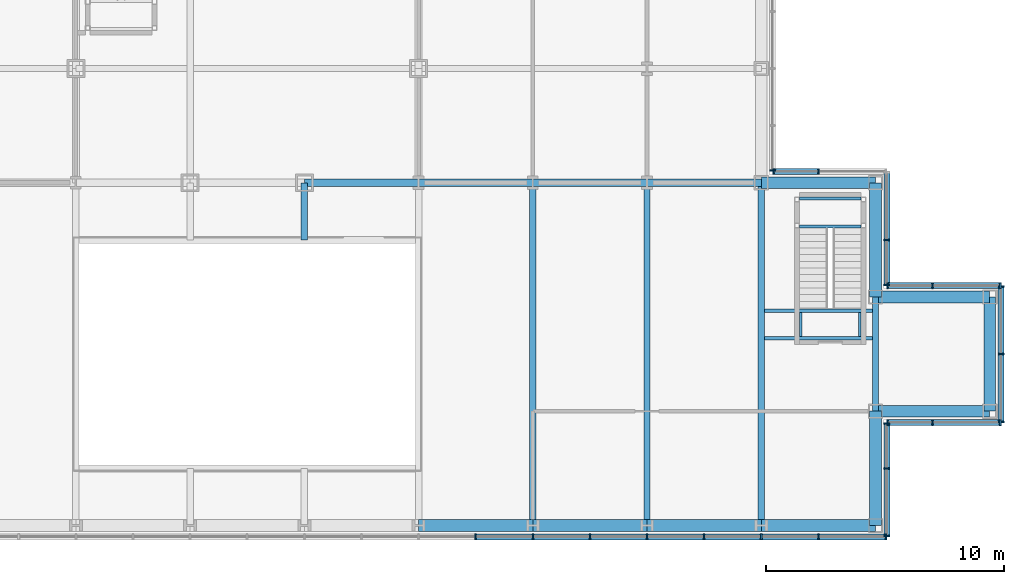
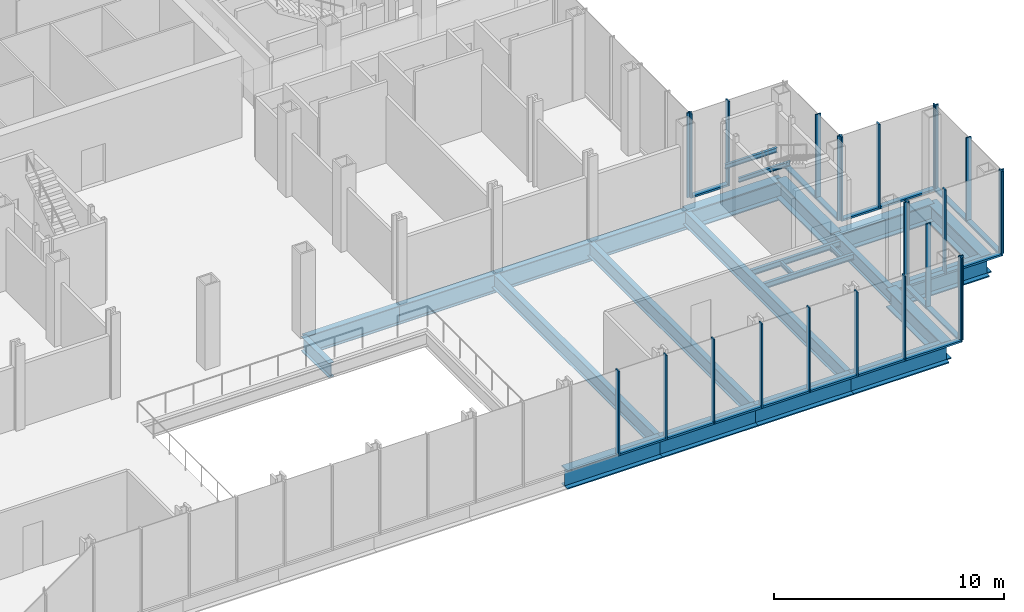
# One storey, part 13 of 25: 43 members, 25 beams, 8 elements without a shape of their own.
"""IFC4 building model written with IfcOpenShell, lengths in metres."""

from ifc_helpers import new_model, si_unit, direction, frame, origin, origin_2d, place, context, subcontext, project, spatial, rectangle, i_section, extrude, material, material_profile, profile_set, type_object, element, aggregate, save


model = new_model("IFC4")

# Units and contexts
model_context = context("Model", 3, precision=1e-05, world=origin(), true_north=direction((0.0, 1.0)))
body_context = subcontext(model_context, "Body", "Model", "MODEL_VIEW")
ifc_project = project(units=[si_unit("LENGTHUNIT", "METRE"), si_unit("AREAUNIT", "SQUARE_METRE"), si_unit("VOLUMEUNIT", "CUBIC_METRE"), si_unit("PLANEANGLEUNIT", "RADIAN"), si_unit("MASSUNIT", "GRAM", prefix="KILO")], contexts=[model_context])

# Site, building, storey
site_placement = place(None, origin())
site = spatial("IfcSite", under=ifc_project, at=site_placement, CompositionType="ELEMENT")
building_placement = place(site_placement, origin())
building = spatial("IfcBuilding", under=site, at=building_placement, Name="Kvirike Care Tower", CompositionType="ELEMENT")
storey_placement = place(building_placement, frame((0.0, 0.0, 9.0)))
storey = spatial("IfcBuildingStorey", under=building, at=storey_placement, Name="L02", CompositionType="ELEMENT", Elevation=9.0)

# Curtain wall, members
ifc_material_1 = material(Name="Anodised aluminium stick system", Category="aluminium")
curtain_wall_type = type_object("IfcCurtainWallType", Name="CW-P PODIUM STICK CURTAIN WALL", PredefinedType="NOTDEFINED", material=ifc_material_1)
curtain_wall_1_placement = place(storey_placement, origin())
curtain_wall_1 = element("IfcCurtainWall", 1, at=curtain_wall_1_placement, inside=storey, type_object=curtain_wall_type, Name="Curtain wall L02 face 1", PredefinedType="NOTDEFINED")
ifc_material_2 = material(Name="Bronze anodised aluminium mullion", Category="aluminium")
ifc_material_profile_1 = material_profile(ifc_material_2, rectangle(XDim=0.06494140625, YDim=0.25, at=origin_2d()), Name="CW-P MULLION 65x250")
ifc_profile_set_1 = profile_set([ifc_material_profile_1], Name="Bronze anodised aluminium mullion")
member_type_1 = type_object("IfcMemberType", Name="CW-P MULLION 65x250", PredefinedType="MULLION", material=ifc_profile_set_1)
member_1_placement = place(storey_placement, frame((31.199951171875, -0.47509765625, 0.0), z_axis=(0.0, 0.0, 1.0), x_axis=(1.0, 0.0, 0.0)))
member_1 = element("IfcMember", 2, at=member_1_placement, type_object=member_type_1, Name="CW-P mullion L02 face 1.16", PredefinedType="MULLION", context=body_context, shape_type="SweptSolid", body=[
    extrude(rectangle(XDim=0.06494140625, YDim=0.25, at=origin_2d()), origin(), (0.0, 0.0, 1.0), 4.5),
])
member_2_placement = place(storey_placement, frame((33.60009765625, -0.47509765625, 0.0), z_axis=(0.0, 0.0, 1.0), x_axis=(1.0, 0.0, 0.0)))
member_2 = element("IfcMember", 3, at=member_2_placement, type_object=member_type_1, Name="CW-P mullion L02 face 1.17", PredefinedType="MULLION", context=body_context, shape_type="SweptSolid", body=[
    extrude(rectangle(XDim=0.06494140625, YDim=0.25, at=origin_2d()), origin(), (0.0, 0.0, 1.0), 4.5),
])
member_3_placement = place(storey_placement, frame((36.0, -0.47509765625, 0.0), z_axis=(0.0, 0.0, 1.0), x_axis=(1.0, 0.0, 0.0)))
member_3 = element("IfcMember", 4, at=member_3_placement, type_object=member_type_1, Name="CW-P mullion L02 face 1.18", PredefinedType="MULLION", context=body_context, shape_type="SweptSolid", body=[
    extrude(rectangle(XDim=0.06494140625, YDim=0.25, at=origin_2d()), origin(), (0.0, 0.0, 1.0), 4.5),
])
member_4_placement = place(storey_placement, frame((38.39990234375, -0.47509765625, 0.0), z_axis=(0.0, 0.0, 1.0), x_axis=(1.0, 0.0, 0.0)))
member_4 = element("IfcMember", 5, at=member_4_placement, type_object=member_type_1, Name="CW-P mullion L02 face 1.19", PredefinedType="MULLION", context=body_context, shape_type="SweptSolid", body=[
    extrude(rectangle(XDim=0.06494140625, YDim=0.25, at=origin_2d()), origin(), (0.0, 0.0, 1.0), 4.5),
])
member_5_placement = place(storey_placement, frame((40.800048828125, -0.47509765625, 0.0), z_axis=(0.0, 0.0, 1.0), x_axis=(1.0, 0.0, 0.0)))
member_5 = element("IfcMember", 6, at=member_5_placement, type_object=member_type_1, Name="CW-P mullion L02 face 1.20", PredefinedType="MULLION", context=body_context, shape_type="SweptSolid", body=[
    extrude(rectangle(XDim=0.06494140625, YDim=0.25, at=origin_2d()), origin(), (0.0, 0.0, 1.0), 4.5),
])
member_6_placement = place(storey_placement, frame((43.199951171875, -0.47509765625, 0.0), z_axis=(0.0, 0.0, 1.0), x_axis=(1.0, 0.0, 0.0)))
member_6 = element("IfcMember", 7, at=member_6_placement, type_object=member_type_1, Name="CW-P mullion L02 face 1.21", PredefinedType="MULLION", context=body_context, shape_type="SweptSolid", body=[
    extrude(rectangle(XDim=0.06494140625, YDim=0.25, at=origin_2d()), origin(), (0.0, 0.0, 1.0), 4.5),
])
member_7_placement = place(storey_placement, frame((45.60009765625, -0.47509765625, 0.0), z_axis=(0.0, 0.0, 1.0), x_axis=(1.0, 0.0, 0.0)))
member_7 = element("IfcMember", 8, at=member_7_placement, type_object=member_type_1, Name="CW-P mullion L02 face 1.22", PredefinedType="MULLION", context=body_context, shape_type="SweptSolid", body=[
    extrude(rectangle(XDim=0.06494140625, YDim=0.25, at=origin_2d()), origin(), (0.0, 0.0, 1.0), 4.5),
])
member_8_placement = place(storey_placement, frame((48.4423828125, -0.47509765625, 0.0), z_axis=(0.0, 0.0, 1.0), x_axis=(1.0, 0.0, 0.0)))
member_8 = element("IfcMember", 9, at=member_8_placement, type_object=member_type_1, Name="CW-P mullion L02 face 1.23", PredefinedType="MULLION", context=body_context, shape_type="SweptSolid", body=[
    extrude(rectangle(XDim=0.06494140625, YDim=0.25, at=origin_2d()), origin(), (0.0, 0.0, 1.0), 4.5),
])

curtain_wall_2_placement = place(storey_placement, origin())
curtain_wall_2 = element("IfcCurtainWall", 10, at=curtain_wall_2_placement, inside=storey, type_object=curtain_wall_type, Name="Curtain wall L02 face 2", PredefinedType="NOTDEFINED")
member_9_placement = place(storey_placement, frame((48.47509765625, -0.4423828125, 0.0), z_axis=(0.0, 0.0, 1.0), x_axis=(0.0, 1.0, 0.0)))
member_9 = element("IfcMember", 11, at=member_9_placement, type_object=member_type_1, Name="CW-P mullion L02 face 2.1", PredefinedType="MULLION", context=body_context, shape_type="SweptSolid", body=[
    extrude(rectangle(XDim=0.06494140625, YDim=0.25, at=origin_2d()), origin(), (0.0, 0.0, 1.0), 4.5),
])
member_10_placement = place(storey_placement, frame((48.47509765625, 2.39990234375, 0.0), z_axis=(0.0, 0.0, 1.0), x_axis=(0.0, 1.0, 0.0)))
member_10 = element("IfcMember", 12, at=member_10_placement, type_object=member_type_1, Name="CW-P mullion L02 face 2.2", PredefinedType="MULLION", context=body_context, shape_type="SweptSolid", body=[
    extrude(rectangle(XDim=0.06494140625, YDim=0.25, at=origin_2d()), origin(), (0.0, 0.0, 1.0), 4.5),
])
member_11_placement = place(storey_placement, frame((48.47509765625, 4.29248046875, 0.0), z_axis=(0.0, 0.0, 1.0), x_axis=(0.0, 1.0, 0.0)))
member_11 = element("IfcMember", 13, at=member_11_placement, type_object=member_type_1, Name="CW-P mullion L02 face 2.3", PredefinedType="MULLION", context=body_context, shape_type="SweptSolid", body=[
    extrude(rectangle(XDim=0.06494140625, YDim=0.25, at=origin_2d()), origin(), (0.0, 0.0, 1.0), 4.5),
])

curtain_wall_3_placement = place(storey_placement, origin())
curtain_wall_3 = element("IfcCurtainWall", 14, at=curtain_wall_3_placement, inside=storey, type_object=curtain_wall_type, Name="Curtain wall L02 face 3", PredefinedType="NOTDEFINED")
member_12_placement = place(storey_placement, frame((48.507568359375, 4.324951171875, 0.0), z_axis=(0.0, 0.0, 1.0), x_axis=(1.0, 0.0, 0.0)))
member_12 = element("IfcMember", 15, at=member_12_placement, type_object=member_type_1, Name="CW-P mullion L02 face 3.1", PredefinedType="MULLION", context=body_context, shape_type="SweptSolid", body=[
    extrude(rectangle(XDim=0.06494140625, YDim=0.25, at=origin_2d()), origin(), (0.0, 0.0, 1.0), 4.5),
])
member_13_placement = place(storey_placement, frame((50.39990234375, 4.324951171875, 0.0), z_axis=(0.0, 0.0, 1.0), x_axis=(1.0, 0.0, 0.0)))
member_13 = element("IfcMember", 16, at=member_13_placement, type_object=member_type_1, Name="CW-P mullion L02 face 3.2", PredefinedType="MULLION", context=body_context, shape_type="SweptSolid", body=[
    extrude(rectangle(XDim=0.06494140625, YDim=0.25, at=origin_2d()), origin(), (0.0, 0.0, 1.0), 4.5),
])
member_14_placement = place(storey_placement, frame((53.242431640625, 4.324951171875, 0.0), z_axis=(0.0, 0.0, 1.0), x_axis=(1.0, 0.0, 0.0)))
member_14 = element("IfcMember", 17, at=member_14_placement, type_object=member_type_1, Name="CW-P mullion L02 face 3.3", PredefinedType="MULLION", context=body_context, shape_type="SweptSolid", body=[
    extrude(rectangle(XDim=0.06494140625, YDim=0.25, at=origin_2d()), origin(), (0.0, 0.0, 1.0), 4.5),
])

curtain_wall_4_placement = place(storey_placement, origin())
curtain_wall_4 = element("IfcCurtainWall", 18, at=curtain_wall_4_placement, inside=storey, type_object=curtain_wall_type, Name="Curtain wall L02 face 4", PredefinedType="NOTDEFINED")
member_15_placement = place(storey_placement, frame((53.27490234375, 4.357421875, 0.0), z_axis=(0.0, 0.0, 1.0), x_axis=(0.0, 1.0, 0.0)))
member_15 = element("IfcMember", 19, at=member_15_placement, type_object=member_type_1, Name="CW-P mullion L02 face 4.1", PredefinedType="MULLION", context=body_context, shape_type="SweptSolid", body=[
    extrude(rectangle(XDim=0.06494140625, YDim=0.25, at=origin_2d()), origin(), (0.0, 0.0, 1.0), 4.5),
])
member_16_placement = place(storey_placement, frame((53.27490234375, 7.199951171875, 0.0), z_axis=(0.0, 0.0, 1.0), x_axis=(0.0, 1.0, 0.0)))
member_16 = element("IfcMember", 20, at=member_16_placement, type_object=member_type_1, Name="CW-P mullion L02 face 4.2", PredefinedType="MULLION", context=body_context, shape_type="SweptSolid", body=[
    extrude(rectangle(XDim=0.06494140625, YDim=0.25, at=origin_2d()), origin(), (0.0, 0.0, 1.0), 4.5),
])
member_17_placement = place(storey_placement, frame((53.27490234375, 10.04248046875, 0.0), z_axis=(0.0, 0.0, 1.0), x_axis=(0.0, 1.0, 0.0)))
member_17 = element("IfcMember", 21, at=member_17_placement, type_object=member_type_1, Name="CW-P mullion L02 face 4.3", PredefinedType="MULLION", context=body_context, shape_type="SweptSolid", body=[
    extrude(rectangle(XDim=0.06494140625, YDim=0.25, at=origin_2d()), origin(), (0.0, 0.0, 1.0), 4.5),
])

curtain_wall_5_placement = place(storey_placement, origin())
curtain_wall_5 = element("IfcCurtainWall", 22, at=curtain_wall_5_placement, inside=storey, type_object=curtain_wall_type, Name="Curtain wall L02 face 5", PredefinedType="NOTDEFINED")
member_18_placement = place(storey_placement, frame((53.242431640625, 10.074951171875, 0.0), z_axis=(0.0, 0.0, 1.0), x_axis=(-1.0, 0.0, 0.0)))
member_18 = element("IfcMember", 23, at=member_18_placement, type_object=member_type_1, Name="CW-P mullion L02 face 5.1", PredefinedType="MULLION", context=body_context, shape_type="SweptSolid", body=[
    extrude(rectangle(XDim=0.06494140625, YDim=0.25, at=origin_2d()), origin(), (0.0, 0.0, 1.0), 4.5),
])
member_19_placement = place(storey_placement, frame((50.39990234375, 10.074951171875, 0.0), z_axis=(0.0, 0.0, 1.0), x_axis=(-1.0, 0.0, 0.0)))
member_19 = element("IfcMember", 24, at=member_19_placement, type_object=member_type_1, Name="CW-P mullion L02 face 5.2", PredefinedType="MULLION", context=body_context, shape_type="SweptSolid", body=[
    extrude(rectangle(XDim=0.06494140625, YDim=0.25, at=origin_2d()), origin(), (0.0, 0.0, 1.0), 4.5),
])
member_20_placement = place(storey_placement, frame((48.507568359375, 10.074951171875, 0.0), z_axis=(0.0, 0.0, 1.0), x_axis=(-1.0, 0.0, 0.0)))
member_20 = element("IfcMember", 25, at=member_20_placement, type_object=member_type_1, Name="CW-P mullion L02 face 5.3", PredefinedType="MULLION", context=body_context, shape_type="SweptSolid", body=[
    extrude(rectangle(XDim=0.06494140625, YDim=0.25, at=origin_2d()), origin(), (0.0, 0.0, 1.0), 4.5),
])

curtain_wall_6_placement = place(storey_placement, origin())
curtain_wall_6 = element("IfcCurtainWall", 26, at=curtain_wall_6_placement, inside=storey, type_object=curtain_wall_type, Name="Curtain wall L02 face 6", PredefinedType="NOTDEFINED")
member_21_placement = place(storey_placement, frame((48.47509765625, 10.107421875, 0.0), z_axis=(0.0, 0.0, 1.0), x_axis=(0.0, 1.0, 0.0)))
member_21 = element("IfcMember", 27, at=member_21_placement, type_object=member_type_1, Name="CW-P mullion L02 face 6.1", PredefinedType="MULLION", context=body_context, shape_type="SweptSolid", body=[
    extrude(rectangle(XDim=0.06494140625, YDim=0.25, at=origin_2d()), origin(), (0.0, 0.0, 1.0), 4.5),
])
member_22_placement = place(storey_placement, frame((48.47509765625, 12.0, 0.0), z_axis=(0.0, 0.0, 1.0), x_axis=(0.0, 1.0, 0.0)))
member_22 = element("IfcMember", 28, at=member_22_placement, type_object=member_type_1, Name="CW-P mullion L02 face 6.2", PredefinedType="MULLION", context=body_context, shape_type="SweptSolid", body=[
    extrude(rectangle(XDim=0.06494140625, YDim=0.25, at=origin_2d()), origin(), (0.0, 0.0, 1.0), 4.5),
])

curtain_wall_7_placement = place(storey_placement, origin())
curtain_wall_7 = element("IfcCurtainWall", 29, at=curtain_wall_7_placement, inside=storey, type_object=curtain_wall_type, Name="Curtain wall L02 face 7", PredefinedType="NOTDEFINED")
member_23_placement = place(storey_placement, frame((45.60009765625, 14.875, 0.0), z_axis=(0.0, 0.0, 1.0), x_axis=(-1.0, 0.0, 0.0)))
member_23 = element("IfcMember", 30, at=member_23_placement, type_object=member_type_1, Name="CW-P mullion L02 face 7.2", PredefinedType="MULLION", context=body_context, shape_type="SweptSolid", body=[
    extrude(rectangle(XDim=0.06494140625, YDim=0.25, at=origin_2d()), origin(), (0.0, 0.0, 1.0), 4.5),
])
member_24_placement = place(storey_placement, frame((43.70751953125, 14.875, 0.0), z_axis=(0.0, 0.0, 1.0), x_axis=(-1.0, 0.0, 0.0)))
member_24 = element("IfcMember", 31, at=member_24_placement, type_object=member_type_1, Name="CW-P mullion L02 face 7.3", PredefinedType="MULLION", context=body_context, shape_type="SweptSolid", body=[
    extrude(rectangle(XDim=0.06494140625, YDim=0.25, at=origin_2d()), origin(), (0.0, 0.0, 1.0), 4.5),
])

# Curtain wall, member
curtain_wall_8_placement = place(storey_placement, origin())
curtain_wall_8 = element("IfcCurtainWall", 32, at=curtain_wall_8_placement, inside=storey, type_object=curtain_wall_type, Name="Curtain wall L02 face 8", PredefinedType="NOTDEFINED")
member_25_placement = place(storey_placement, frame((43.675048828125, 14.907470703125, 0.0), z_axis=(0.0, 0.0, 1.0), x_axis=(0.0, 1.0, 0.0)))
member_25 = element("IfcMember", 33, at=member_25_placement, type_object=member_type_1, Name="CW-P mullion L02 face 8.1", PredefinedType="MULLION", context=body_context, shape_type="SweptSolid", body=[
    extrude(rectangle(XDim=0.06494140625, YDim=0.25, at=origin_2d()), origin(), (0.0, 0.0, 1.0), 4.5),
])
aggregate(curtain_wall_8, [member_25])

# Member
ifc_material_3 = material(Name="Bronze anodised aluminium transom", Category="aluminium")
ifc_material_profile_2 = material_profile(ifc_material_3, rectangle(XDim=0.25, YDim=0.10009765625, at=origin_2d()), Name="CW-P TRANSOM 250x100")
ifc_profile_set_2 = profile_set([ifc_material_profile_2], Name="Bronze anodised aluminium transom")
member_type_2 = type_object("IfcMemberType", Name="CW-P TRANSOM 250x100", PredefinedType="USERDEFINED", material=ifc_profile_set_2)
member_26_placement = place(storey_placement, frame((31.232421875, -0.47509765625, 0.050048828125), z_axis=(1.0, 0.0, 0.0), x_axis=(0.0, 1.0, 0.0)))
member_26 = element("IfcMember", 34, at=member_26_placement, type_object=member_type_2, Name="CW-P sill transom L02 face 1.16", ObjectType="TRANSOM", PredefinedType="USERDEFINED", context=body_context, shape_type="SweptSolid", body=[
    extrude(rectangle(XDim=0.25, YDim=0.10009765625, at=origin_2d()), origin(), (0.0, 0.0, 1.0), 2.3349609375),
])

member_27_placement = place(storey_placement, frame((33.632568359375, -0.47509765625, 0.050048828125), z_axis=(1.0, 0.0, 0.0), x_axis=(0.0, 1.0, 0.0)))
member_27 = element("IfcMember", 35, at=member_27_placement, type_object=member_type_2, Name="CW-P sill transom L02 face 1.17", ObjectType="TRANSOM", PredefinedType="USERDEFINED", context=body_context, shape_type="SweptSolid", body=[
    extrude(rectangle(XDim=0.25, YDim=0.10009765625, at=origin_2d()), origin(), (0.0, 0.0, 1.0), 2.3349609375),
])

member_28_placement = place(storey_placement, frame((36.032470703125, -0.47509765625, 0.050048828125), z_axis=(1.0, 0.0, 0.0), x_axis=(0.0, 1.0, 0.0)))
member_28 = element("IfcMember", 36, at=member_28_placement, type_object=member_type_2, Name="CW-P sill transom L02 face 1.18", ObjectType="TRANSOM", PredefinedType="USERDEFINED", context=body_context, shape_type="SweptSolid", body=[
    extrude(rectangle(XDim=0.25, YDim=0.10009765625, at=origin_2d()), origin(), (0.0, 0.0, 1.0), 2.3349609375),
])

member_29_placement = place(storey_placement, frame((38.4326171875, -0.47509765625, 0.050048828125), z_axis=(1.0, 0.0, 0.0), x_axis=(0.0, 1.0, 0.0)))
member_29 = element("IfcMember", 37, at=member_29_placement, type_object=member_type_2, Name="CW-P sill transom L02 face 1.19", ObjectType="TRANSOM", PredefinedType="USERDEFINED", context=body_context, shape_type="SweptSolid", body=[
    extrude(rectangle(XDim=0.25, YDim=0.10009765625, at=origin_2d()), origin(), (0.0, 0.0, 1.0), 2.3349609375),
])

member_30_placement = place(storey_placement, frame((40.83251953125, -0.47509765625, 0.050048828125), z_axis=(1.0, 0.0, 0.0), x_axis=(0.0, 1.0, 0.0)))
member_30 = element("IfcMember", 38, at=member_30_placement, type_object=member_type_2, Name="CW-P sill transom L02 face 1.20", ObjectType="TRANSOM", PredefinedType="USERDEFINED", context=body_context, shape_type="SweptSolid", body=[
    extrude(rectangle(XDim=0.25, YDim=0.10009765625, at=origin_2d()), origin(), (0.0, 0.0, 1.0), 2.3349609375),
])

member_31_placement = place(storey_placement, frame((43.232421875, -0.47509765625, 0.050048828125), z_axis=(1.0, 0.0, 0.0), x_axis=(0.0, 1.0, 0.0)))
member_31 = element("IfcMember", 39, at=member_31_placement, type_object=member_type_2, Name="CW-P sill transom L02 face 1.21", ObjectType="TRANSOM", PredefinedType="USERDEFINED", context=body_context, shape_type="SweptSolid", body=[
    extrude(rectangle(XDim=0.25, YDim=0.10009765625, at=origin_2d()), origin(), (0.0, 0.0, 1.0), 2.3349609375),
])

member_32_placement = place(storey_placement, frame((45.632568359375, -0.47509765625, 0.050048828125), z_axis=(1.0, 0.0, 0.0), x_axis=(0.0, 1.0, 0.0)))
member_32 = element("IfcMember", 40, at=member_32_placement, type_object=member_type_2, Name="CW-P sill transom L02 face 1.22", ObjectType="TRANSOM", PredefinedType="USERDEFINED", context=body_context, shape_type="SweptSolid", body=[
    extrude(rectangle(XDim=0.25, YDim=0.10009765625, at=origin_2d()), origin(), (0.0, 0.0, 1.0), 2.77734375),
])

aggregate(curtain_wall_1, [member_1, member_2, member_3, member_4, member_5, member_6, member_7, member_8, member_26, member_27, member_28, member_29, member_30, member_31, member_32])

member_33_placement = place(storey_placement, frame((48.47509765625, -0.409912109375, 0.050048828125), z_axis=(0.0, 1.0, 0.0), x_axis=(-1.0, 0.0, 0.0)))
member_33 = element("IfcMember", 41, at=member_33_placement, type_object=member_type_2, Name="CW-P sill transom L02 face 2.1", ObjectType="TRANSOM", PredefinedType="USERDEFINED", context=body_context, shape_type="SweptSolid", body=[
    extrude(rectangle(XDim=0.25, YDim=0.10009765625, at=origin_2d()), origin(), (0.0, 0.0, 1.0), 2.77734375),
])

member_34_placement = place(storey_placement, frame((48.47509765625, 2.4326171875, 0.050048828125), z_axis=(0.0, 1.0, 0.0), x_axis=(-1.0, 0.0, 0.0)))
member_34 = element("IfcMember", 42, at=member_34_placement, type_object=member_type_2, Name="CW-P sill transom L02 face 2.2", ObjectType="TRANSOM", PredefinedType="USERDEFINED", context=body_context, shape_type="SweptSolid", body=[
    extrude(rectangle(XDim=0.25, YDim=0.10009765625, at=origin_2d()), origin(), (0.0, 0.0, 1.0), 1.827392578125),
])

aggregate(curtain_wall_2, [member_9, member_10, member_11, member_33, member_34])

member_35_placement = place(storey_placement, frame((48.5400390625, 4.324951171875, 0.050048828125), z_axis=(1.0, 0.0, 0.0), x_axis=(0.0, 1.0, 0.0)))
member_35 = element("IfcMember", 43, at=member_35_placement, type_object=member_type_2, Name="CW-P sill transom L02 face 3.1", ObjectType="TRANSOM", PredefinedType="USERDEFINED", context=body_context, shape_type="SweptSolid", body=[
    extrude(rectangle(XDim=0.25, YDim=0.10009765625, at=origin_2d()), origin(), (0.0, 0.0, 1.0), 1.827392578125),
])

member_36_placement = place(storey_placement, frame((50.4326171875, 4.324951171875, 0.050048828125), z_axis=(1.0, 0.0, 0.0), x_axis=(0.0, 1.0, 0.0)))
member_36 = element("IfcMember", 44, at=member_36_placement, type_object=member_type_2, Name="CW-P sill transom L02 face 3.2", ObjectType="TRANSOM", PredefinedType="USERDEFINED", context=body_context, shape_type="SweptSolid", body=[
    extrude(rectangle(XDim=0.25, YDim=0.10009765625, at=origin_2d()), origin(), (0.0, 0.0, 1.0), 2.77734375),
])

aggregate(curtain_wall_3, [member_12, member_13, member_14, member_35, member_36])

member_37_placement = place(storey_placement, frame((53.27490234375, 4.389892578125, 0.050048828125), z_axis=(0.0, 1.0, 0.0), x_axis=(-1.0, 0.0, 0.0)))
member_37 = element("IfcMember", 45, at=member_37_placement, type_object=member_type_2, Name="CW-P sill transom L02 face 4.1", ObjectType="TRANSOM", PredefinedType="USERDEFINED", context=body_context, shape_type="SweptSolid", body=[
    extrude(rectangle(XDim=0.25, YDim=0.10009765625, at=origin_2d()), origin(), (0.0, 0.0, 1.0), 2.777587890625),
])

member_38_placement = place(storey_placement, frame((53.27490234375, 7.232421875, 0.050048828125), z_axis=(0.0, 1.0, 0.0), x_axis=(-1.0, 0.0, 0.0)))
member_38 = element("IfcMember", 46, at=member_38_placement, type_object=member_type_2, Name="CW-P sill transom L02 face 4.2", ObjectType="TRANSOM", PredefinedType="USERDEFINED", context=body_context, shape_type="SweptSolid", body=[
    extrude(rectangle(XDim=0.25, YDim=0.10009765625, at=origin_2d()), origin(), (0.0, 0.0, 1.0), 2.777587890625),
])

aggregate(curtain_wall_4, [member_15, member_16, member_17, member_37, member_38])

member_39_placement = place(storey_placement, frame((53.2099609375, 10.074951171875, 0.050048828125), z_axis=(-1.0, 0.0, 0.0), x_axis=(0.0, -1.0, 0.0)))
member_39 = element("IfcMember", 47, at=member_39_placement, type_object=member_type_2, Name="CW-P sill transom L02 face 5.1", ObjectType="TRANSOM", PredefinedType="USERDEFINED", context=body_context, shape_type="SweptSolid", body=[
    extrude(rectangle(XDim=0.25, YDim=0.10009765625, at=origin_2d()), origin(), (0.0, 0.0, 1.0), 2.77734375),
])

member_40_placement = place(storey_placement, frame((50.367431640625, 10.074951171875, 0.050048828125), z_axis=(-1.0, 0.0, 0.0), x_axis=(0.0, -1.0, 0.0)))
member_40 = element("IfcMember", 48, at=member_40_placement, type_object=member_type_2, Name="CW-P sill transom L02 face 5.2", ObjectType="TRANSOM", PredefinedType="USERDEFINED", context=body_context, shape_type="SweptSolid", body=[
    extrude(rectangle(XDim=0.25, YDim=0.10009765625, at=origin_2d()), origin(), (0.0, 0.0, 1.0), 1.827392578125),
])

aggregate(curtain_wall_5, [member_18, member_19, member_20, member_39, member_40])

member_41_placement = place(storey_placement, frame((48.47509765625, 10.139892578125, 0.050048828125), z_axis=(0.0, 1.0, 0.0), x_axis=(-1.0, 0.0, 0.0)))
member_41 = element("IfcMember", 49, at=member_41_placement, type_object=member_type_2, Name="CW-P sill transom L02 face 6.1", ObjectType="TRANSOM", PredefinedType="USERDEFINED", context=body_context, shape_type="SweptSolid", body=[
    extrude(rectangle(XDim=0.25, YDim=0.10009765625, at=origin_2d()), origin(), (0.0, 0.0, 1.0), 1.82763671875),
])

member_42_placement = place(storey_placement, frame((48.47509765625, 12.032470703125, 0.050048828125), z_axis=(0.0, 1.0, 0.0), x_axis=(-1.0, 0.0, 0.0)))
member_42 = element("IfcMember", 50, at=member_42_placement, type_object=member_type_2, Name="CW-P sill transom L02 face 6.2", ObjectType="TRANSOM", PredefinedType="USERDEFINED", context=body_context, shape_type="SweptSolid", body=[
    extrude(rectangle(XDim=0.25, YDim=0.10009765625, at=origin_2d()), origin(), (0.0, 0.0, 1.0), 2.777587890625),
])

aggregate(curtain_wall_6, [member_21, member_22, member_41, member_42])

member_43_placement = place(storey_placement, frame((45.5673828125, 14.875, 0.050048828125), z_axis=(-1.0, 0.0, 0.0), x_axis=(0.0, -1.0, 0.0)))
member_43 = element("IfcMember", 51, at=member_43_placement, type_object=member_type_2, Name="CW-P sill transom L02 face 7.2", ObjectType="TRANSOM", PredefinedType="USERDEFINED", context=body_context, shape_type="SweptSolid", body=[
    extrude(rectangle(XDim=0.25, YDim=0.10009765625, at=origin_2d()), origin(), (0.0, 0.0, 1.0), 1.827392578125),
])

aggregate(curtain_wall_7, [member_23, member_24, member_43])

# Beams
ifc_material_4 = material(Name="Steel S355", Category="steel")
ifc_material_profile_3 = material_profile(ifc_material_4, i_section(OverallWidth=0.26806640625, OverallDepth=0.77001953125, WebThickness=0.015625, FlangeThickness=0.025390625, FilletRadius=0.01708984375, at=origin_2d()), Name="IPE 750x196")
ifc_profile_set_3 = profile_set([ifc_material_profile_3], Name="Steel S355")
beam_type_1 = type_object("IfcBeamType", Name="FLOOR BEAM IPE 750x196", PredefinedType="BEAM", material=ifc_profile_set_3)
beam_1_placement = place(storey_placement, frame((24.0, 12.0, -0.554931640625), z_axis=(0.0, 1.0, 0.0), x_axis=(-1.0, 0.0, 0.0)))
element("IfcBeam", 52, at=beam_1_placement, inside=storey, type_object=beam_type_1, Name="Floor Beam 24.00/12.00-D8 L02", PredefinedType="BEAM", context=body_context, shape_type="SweptSolid", body=[
    extrude(i_section(OverallWidth=0.26806640625, OverallDepth=0.77001953125, WebThickness=0.015625, FlangeThickness=0.025390625, FilletRadius=0.01708984375, at=origin_2d()), origin(), (0.0, 0.0, 1.0), 2.39990234375),
])
for number, where, z_axis, x_axis, name in (
    (53, (33.60009765625, 0.0, -0.554931640625), (0.0, 1.0, 0.0), (-1.0, 0.0, 0.0), "Floor Beam A10-D10 L02"),
    (54, (38.39990234375, 0.0, -0.554931640625), (0.0, 1.0, 0.0), (-1.0, 0.0, 0.0), "Floor Beam A11-D11 L02"),
    (55, (43.199951171875, 0.0, -0.554931640625), (0.0, 1.0, 0.0), (-1.0, 0.0, 0.0), "Floor Beam A12-D12 L02"),
):
    element("IfcBeam", number, at=place(storey_placement, frame(where, z_axis=z_axis, x_axis=x_axis)), inside=storey, type_object=beam_type_1, Name=name, PredefinedType="BEAM", context=body_context, shape_type="SweptSolid", body=[
        extrude(i_section(OverallWidth=0.26806640625, OverallDepth=0.77001953125, WebThickness=0.015625, FlangeThickness=0.025390625, FilletRadius=0.01708984375, at=origin_2d()), origin(), (0.0, 0.0, 1.0), 14.39990234375),
    ])
beam_2_placement = place(storey_placement, frame((48.0, 4.800048828125, -0.554931640625), z_axis=(0.0, 1.0, 0.0), x_axis=(-1.0, 0.0, 0.0)))
element("IfcBeam", 56, at=beam_2_placement, inside=storey, type_object=beam_type_1, Name="Floor Beam B13-C13 L02", PredefinedType="BEAM", context=body_context, shape_type="SweptSolid", body=[
    extrude(i_section(OverallWidth=0.26806640625, OverallDepth=0.77001953125, WebThickness=0.015625, FlangeThickness=0.025390625, FilletRadius=0.01708984375, at=origin_2d()), origin(), (0.0, 0.0, 1.0), 4.800048828125),
])
ifc_material_5 = material(Name="Steel S355", Category="steel")
ifc_material_profile_4 = material_profile(ifc_material_5, i_section(OverallWidth=0.300048828125, OverallDepth=1.0, WebThickness=0.01904296875, FlangeThickness=0.035888671875, FilletRadius=0.030029296875, at=origin_2d()), Name="HE 1000 B")
ifc_profile_set_4 = profile_set([ifc_material_profile_4], Name="Steel S355")
beam_type_2 = type_object("IfcBeamType", Name="FRAME BEAM HE 1000 B", PredefinedType="BEAM", material=ifc_profile_set_4)
for number, where, z_axis, x_axis, name in (
    (57, (24.0, 14.39990234375, -0.669921875), (1.0, 0.0, 0.0), (0.0, 1.0, 0.0), "Frame Beam D8-D9 L02"),
    (58, (28.800048828125, 14.39990234375, -0.669921875), (1.0, 0.0, 0.0), (0.0, 1.0, 0.0), "Frame Beam D9-D10 L02"),
):
    element("IfcBeam", number, at=place(storey_placement, frame(where, z_axis=z_axis, x_axis=x_axis)), inside=storey, type_object=beam_type_2, Name=name, PredefinedType="BEAM", context=body_context, shape_type="SweptSolid", body=[
        extrude(i_section(OverallWidth=0.300048828125, OverallDepth=1.0, WebThickness=0.01904296875, FlangeThickness=0.035888671875, FilletRadius=0.030029296875, at=origin_2d()), origin(), (0.0, 0.0, 1.0), 4.800048828125),
    ])
beam_3_placement = place(storey_placement, frame((33.60009765625, 14.39990234375, -0.669921875), z_axis=(1.0, 0.0, 0.0), x_axis=(0.0, 1.0, 0.0)))
element("IfcBeam", 59, at=beam_3_placement, inside=storey, type_object=beam_type_2, Name="Frame Beam D10-D11 L02", PredefinedType="BEAM", context=body_context, shape_type="SweptSolid", body=[
    extrude(i_section(OverallWidth=0.300048828125, OverallDepth=1.0, WebThickness=0.01904296875, FlangeThickness=0.035888671875, FilletRadius=0.030029296875, at=origin_2d()), origin(), (0.0, 0.0, 1.0), 4.7998046875),
])
beam_4_placement = place(storey_placement, frame((38.39990234375, 14.39990234375, -0.669921875), z_axis=(1.0, 0.0, 0.0), x_axis=(0.0, 1.0, 0.0)))
element("IfcBeam", 60, at=beam_4_placement, inside=storey, type_object=beam_type_2, Name="Frame Beam D11-D12 L02", PredefinedType="BEAM", context=body_context, shape_type="SweptSolid", body=[
    extrude(i_section(OverallWidth=0.300048828125, OverallDepth=1.0, WebThickness=0.01904296875, FlangeThickness=0.035888671875, FilletRadius=0.030029296875, at=origin_2d()), origin(), (0.0, 0.0, 1.0), 4.800048828125),
])
ifc_material_6 = material(Name="Steel S355", Category="steel")
ifc_material_profile_5 = material_profile(ifc_material_6, i_section(OverallWidth=0.5, OverallDepth=1.0, WebThickness=0.030029296875, FlangeThickness=0.06005859375, at=origin_2d()), Name="PG 1000x500x30x60")
ifc_profile_set_5 = profile_set([ifc_material_profile_5], Name="Steel S355")
beam_type_3 = type_object("IfcBeamType", Name="SPANDREL PG 1000x500x30x60", PredefinedType="SPANDREL", material=ifc_profile_set_5)
beam_5_placement = place(storey_placement, frame((28.800048828125, 0.0, -0.669921875), z_axis=(1.0, 0.0, 0.0), x_axis=(0.0, 1.0, 0.0)))
element("IfcBeam", 61, at=beam_5_placement, inside=storey, type_object=beam_type_3, Name="Spandrel A9-A10 L02", PredefinedType="SPANDREL", context=body_context, shape_type="SweptSolid", body=[
    extrude(i_section(OverallWidth=0.5, OverallDepth=1.0, WebThickness=0.030029296875, FlangeThickness=0.06005859375, at=origin_2d()), origin(), (0.0, 0.0, 1.0), 4.800048828125),
])
beam_6_placement = place(storey_placement, frame((33.60009765625, 0.0, -0.669921875), z_axis=(1.0, 0.0, 0.0), x_axis=(0.0, 1.0, 0.0)))
element("IfcBeam", 62, at=beam_6_placement, inside=storey, type_object=beam_type_3, Name="Spandrel A10-A11 L02", PredefinedType="SPANDREL", context=body_context, shape_type="SweptSolid", body=[
    extrude(i_section(OverallWidth=0.5, OverallDepth=1.0, WebThickness=0.030029296875, FlangeThickness=0.06005859375, at=origin_2d()), origin(), (0.0, 0.0, 1.0), 4.7998046875),
])
for number, where, z_axis, x_axis, name in (
    (63, (38.39990234375, 0.0, -0.669921875), (1.0, 0.0, 0.0), (0.0, 1.0, 0.0), "Spandrel A11-A12 L02"),
    (64, (43.199951171875, 0.0, -0.669921875), (1.0, 0.0, 0.0), (0.0, 1.0, 0.0), "Spandrel A12-A13 L02"),
    (65, (48.0, 4.800048828125, -0.669921875), (1.0, 0.0, 0.0), (0.0, 1.0, 0.0), "Spandrel B13-B14 L02"),
    (66, (48.0, 9.60009765625, -0.669921875), (1.0, 0.0, 0.0), (0.0, 1.0, 0.0), "Spandrel C13-C14 L02"),
    (67, (43.199951171875, 14.39990234375, -0.669921875), (1.0, 0.0, 0.0), (0.0, 1.0, 0.0), "Spandrel D12-D13 L02"),
    (68, (48.0, 0.0, -0.669921875), (0.0, 1.0, 0.0), (-1.0, 0.0, 0.0), "Spandrel A13-B13 L02"),
):
    element("IfcBeam", number, at=place(storey_placement, frame(where, z_axis=z_axis, x_axis=x_axis)), inside=storey, type_object=beam_type_3, Name=name, PredefinedType="SPANDREL", context=body_context, shape_type="SweptSolid", body=[
        extrude(i_section(OverallWidth=0.5, OverallDepth=1.0, WebThickness=0.030029296875, FlangeThickness=0.06005859375, at=origin_2d()), origin(), (0.0, 0.0, 1.0), 4.800048828125),
    ])
beam_7_placement = place(storey_placement, frame((48.0, 9.60009765625, -0.669921875), z_axis=(0.0, 1.0, 0.0), x_axis=(-1.0, 0.0, 0.0)))
element("IfcBeam", 69, at=beam_7_placement, inside=storey, type_object=beam_type_3, Name="Spandrel C13-D13 L02", PredefinedType="SPANDREL", context=body_context, shape_type="SweptSolid", body=[
    extrude(i_section(OverallWidth=0.5, OverallDepth=1.0, WebThickness=0.030029296875, FlangeThickness=0.06005859375, at=origin_2d()), origin(), (0.0, 0.0, 1.0), 4.7998046875),
])
beam_8_placement = place(storey_placement, frame((52.800048828125, 4.800048828125, -0.669921875), z_axis=(0.0, 1.0, 0.0), x_axis=(-1.0, 0.0, 0.0)))
element("IfcBeam", 70, at=beam_8_placement, inside=storey, type_object=beam_type_3, Name="Spandrel B14-C14 L02", PredefinedType="SPANDREL", context=body_context, shape_type="SweptSolid", body=[
    extrude(i_section(OverallWidth=0.5, OverallDepth=1.0, WebThickness=0.030029296875, FlangeThickness=0.06005859375, at=origin_2d()), origin(), (0.0, 0.0, 1.0), 4.800048828125),
])
ifc_material_7 = material(Name="Steel S355", Category="steel")
ifc_material_profile_6 = material_profile(ifc_material_7, i_section(OverallWidth=0.1201171875, OverallDepth=0.239990234375, WebThickness=0.006103515625, FlangeThickness=0.009765625, FilletRadius=0.014892578125, at=origin_2d()), Name="IPE 240")
ifc_profile_set_6 = profile_set([ifc_material_profile_6], Name="Steel S355")
beam_type_4 = type_object("IfcBeamType", Name="STAIR LANDING BEAM IPE 240", PredefinedType="BEAM", material=ifc_profile_set_6)
for number, where, z_axis, x_axis, name in (
    (71, (44.800048828125, 13.739990234375, 1.929931640625), (1.0, 0.0, 0.0), (0.0, 1.0, 0.0), "Stair 4 landing beam back L02"),
    (72, (44.800048828125, 12.56005859375, 1.929931640625), (1.0, 0.0, 0.0), (0.0, 1.0, 0.0), "Stair 4 landing beam front L02"),
):
    element("IfcBeam", number, at=place(storey_placement, frame(where, z_axis=z_axis, x_axis=x_axis)), inside=storey, type_object=beam_type_4, Name=name, PredefinedType="BEAM", context=body_context, shape_type="SweptSolid", body=[
        extrude(i_section(OverallWidth=0.1201171875, OverallDepth=0.239990234375, WebThickness=0.006103515625, FlangeThickness=0.009765625, FilletRadius=0.014892578125, at=origin_2d()), origin(), (0.0, 0.0, 1.0), 2.599853515625),
    ])
for number, where, z_axis, x_axis, name in (
    (73, (44.860107421875, 8.949951171875, -0.320068359375), (0.0, -1.0, 0.0), (1.0, 0.0, 0.0), "Stair 4 landing edge beam 1 L02"),
    (74, (47.340087890625, 8.949951171875, -0.320068359375), (0.0, -1.0, 0.0), (1.0, 0.0, 0.0), "Stair 4 landing edge beam 2 L02"),
):
    element("IfcBeam", number, at=place(storey_placement, frame(where, z_axis=z_axis, x_axis=x_axis)), inside=storey, type_object=beam_type_4, Name=name, PredefinedType="BEAM", context=body_context, shape_type="SweptSolid", body=[
        extrude(i_section(OverallWidth=0.1201171875, OverallDepth=0.239990234375, WebThickness=0.006103515625, FlangeThickness=0.009765625, FilletRadius=0.014892578125, at=origin_2d()), origin(), (0.0, 0.0, 1.0), 1.0),
    ])
ifc_material_8 = material(Name="Steel S355", Category="steel")
ifc_material_profile_7 = material_profile(ifc_material_8, i_section(OverallWidth=0.14990234375, OverallDepth=0.300048828125, WebThickness=0.007080078125, FlangeThickness=0.0107421875, FilletRadius=0.014892578125, at=origin_2d()), Name="IPE 300")
ifc_profile_set_7 = profile_set([ifc_material_profile_7], Name="Steel S355")
beam_type_5 = type_object("IfcBeamType", Name="STAIR TRIMMER IPE 300", PredefinedType="BEAM", material=ifc_profile_set_7)
for number, where, z_axis, x_axis, name in (
    (75, (43.333984375, 9.02490234375, -0.35009765625), (1.0, 0.0, 0.0), (0.0, 1.0, 0.0), "Stair 4 trimmer 1 L02"),
    (76, (43.333984375, 7.875, -0.35009765625), (1.0, 0.0, 0.0), (0.0, 1.0, 0.0), "Stair 4 trimmer 2 L02"),
):
    element("IfcBeam", number, at=place(storey_placement, frame(where, z_axis=z_axis, x_axis=x_axis)), inside=storey, type_object=beam_type_5, Name=name, PredefinedType="BEAM", context=body_context, shape_type="SweptSolid", body=[
        extrude(i_section(OverallWidth=0.14990234375, OverallDepth=0.300048828125, WebThickness=0.007080078125, FlangeThickness=0.0107421875, FilletRadius=0.014892578125, at=origin_2d()), origin(), (0.0, 0.0, 1.0), 4.531982421875),
    ])

save(model, "model.ifc")
